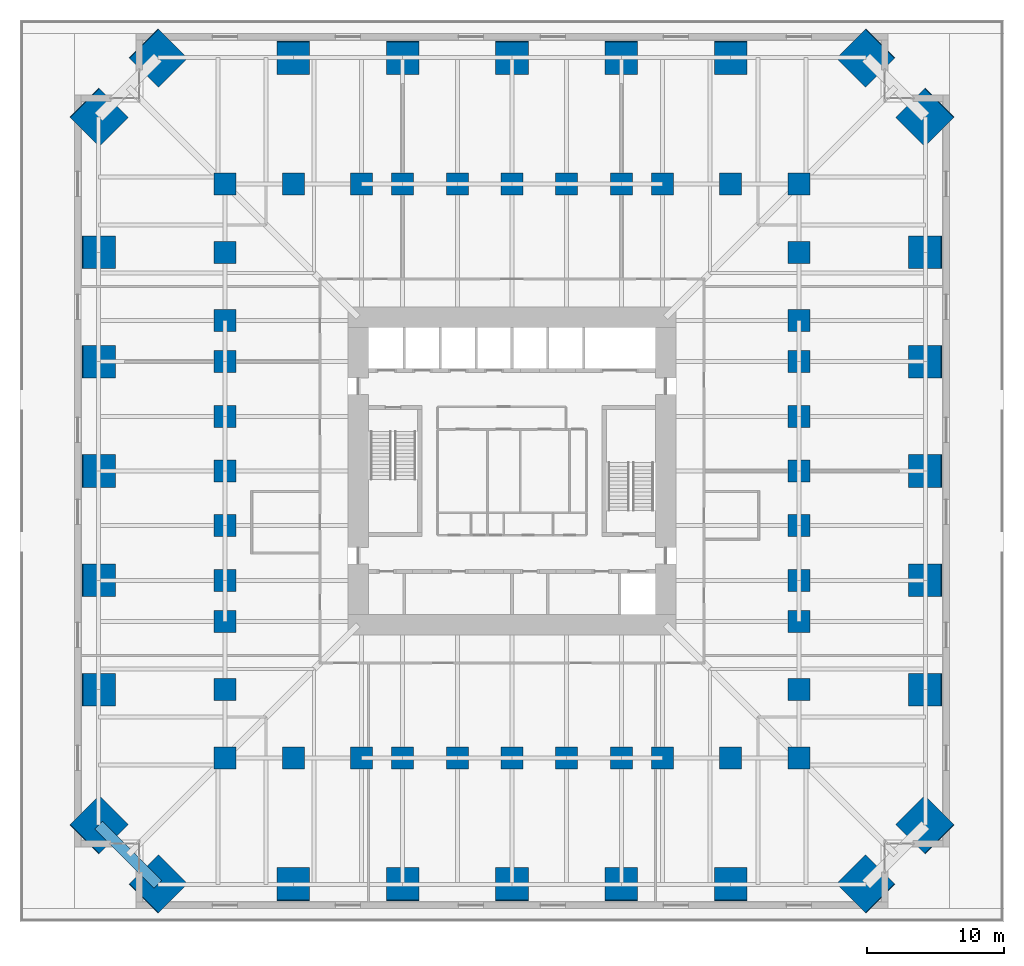
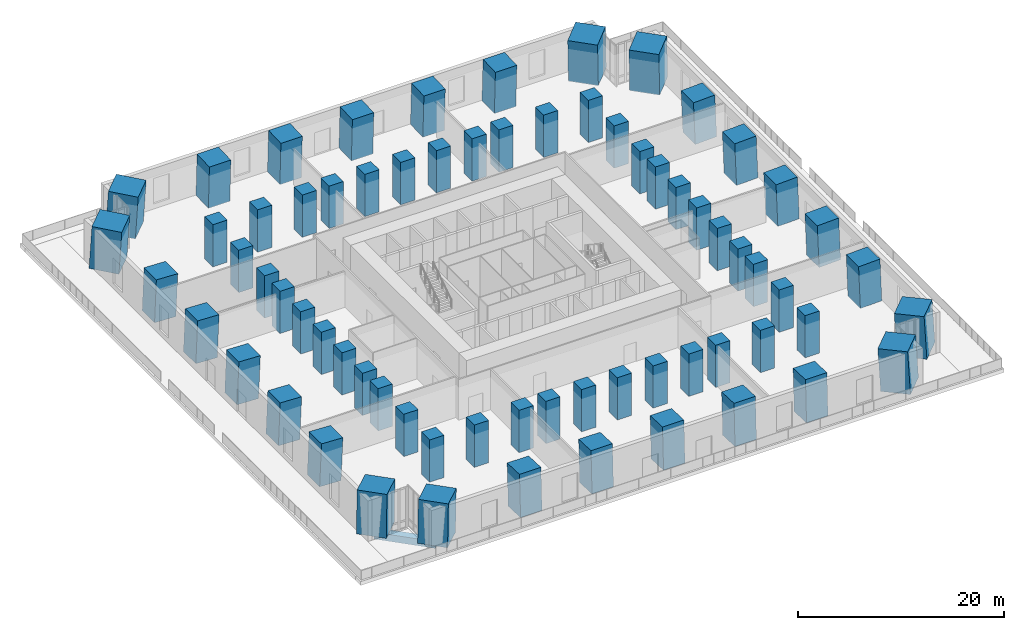
# One storey, part 1 of 26: 68 columns, 1 beam.
"""IFC4 building model written with IfcOpenShell, lengths in metres."""

from ifc_helpers import new_model, si_unit, direction, frame, origin, origin_2d, place, context, subcontext, project, spatial, rectangle, hollow_rectangle, extrude, material, material_profile, profile_set, type_object, element, save


model = new_model("IFC4")

# Units and contexts
model_context = context("Model", 3, precision=1e-05, world=origin(), true_north=direction((0.0, 1.0)))
body_context = subcontext(model_context, "Body", "Model", "MODEL_VIEW")
ifc_project = project(units=[si_unit("LENGTHUNIT", "METRE"), si_unit("AREAUNIT", "SQUARE_METRE"), si_unit("VOLUMEUNIT", "CUBIC_METRE"), si_unit("PLANEANGLEUNIT", "RADIAN"), si_unit("MASSUNIT", "GRAM", prefix="KILO")], contexts=[model_context])

# Site, building, storey
site_placement = place(None, origin())
site = spatial("IfcSite", under=ifc_project, at=site_placement, CompositionType="ELEMENT")
building_placement = place(site_placement, origin())
building = spatial("IfcBuilding", under=site, at=building_placement, Name="Peilmerk Tower", CompositionType="ELEMENT")
storey_placement = place(building_placement, frame((0.0, 0.0, 16.0)))
storey = spatial("IfcBuildingStorey", under=building, at=storey_placement, Name="L03", CompositionType="ELEMENT", Elevation=16.0)

# Columns
ifc_material_1 = material(Name="Concrete C90/105", Category="concrete")
ifc_material_profile_1 = material_profile(ifc_material_1, rectangle(XDim=3.0, YDim=3.0, at=origin_2d()), Name="RC 3000x3000")
ifc_profile_set_1 = profile_set([ifc_material_profile_1], Name="Concrete C90/105")
column_type_1 = type_object("IfcColumnType", Name="MC1 3000x3000 encased mega column", PredefinedType="COLUMN", material=ifc_profile_set_1)
for number, where, z_axis, x_axis, name in (
    (1, (25.901611328125, 30.251708984375, 0.0), (-0.040266583883, -0.040266583883, 0.998377285621), (0.707106781187, -0.707106781187, 0.0), "Mega column MC1 NE_N L03"),
    (2, (30.251708984375, 25.901611328125, 0.0), (-0.040266583883, -0.040266583883, 0.998377285621), (0.707106781187, -0.707106781187, 0.0), "Mega column MC1 NE_E L03"),
    (3, (30.251708984375, -25.901611328125, 0.0), (-0.040266583883, 0.040266583883, 0.998377285621), (-0.707106781187, -0.707106781187, 0.0), "Mega column MC1 SE_E L03"),
    (4, (25.901611328125, -30.251708984375, 0.0), (-0.040266583883, 0.040266583883, 0.998377285621), (-0.707106781187, -0.707106781187, 0.0), "Mega column MC1 SE_S L03"),
    (5, (-25.901611328125, -30.251708984375, 0.0), (0.040266583883, 0.040266583883, 0.998377285621), (-0.707106781187, 0.707106781187, 0.0), "Mega column MC1 SW_S L03"),
    (6, (-30.251708984375, -25.901611328125, 0.0), (0.040266583883, 0.040266583883, 0.998377285621), (-0.707106781187, 0.707106781187, 0.0), "Mega column MC1 SW_W L03"),
    (7, (-30.251708984375, 25.901611328125, 0.0), (0.040266583883, -0.040266583883, 0.998377285621), (0.707106781187, 0.707106781187, 0.0), "Mega column MC1 NW_W L03"),
    (8, (-25.901611328125, 30.251708984375, 0.0), (0.040266583883, -0.040266583883, 0.998377285621), (0.707106781187, 0.707106781187, 0.0), "Mega column MC1 NW_N L03"),
):
    element("IfcColumn", number, at=place(storey_placement, frame(where, z_axis=z_axis, x_axis=x_axis)), inside=storey, type_object=column_type_1, Name=name, PredefinedType="COLUMN", context=body_context, shape_type="SweptSolid", body=[
        extrude(rectangle(XDim=3.0, YDim=3.0, at=origin_2d()), origin(), (0.0, 0.0, 1.0), 5.008056640625),
    ])
ifc_material_profile_2 = material_profile(ifc_material_1, rectangle(XDim=2.39990234375, YDim=2.39990234375, at=origin_2d()), Name="RC 2400x2400")
ifc_profile_set_2 = profile_set([ifc_material_profile_2], Name="Concrete C90/105")
column_type_2 = type_object("IfcColumnType", Name="SC1 2400x2400 encased perimeter column", PredefinedType="COLUMN", material=ifc_profile_set_2)
for number, where, z_axis, x_axis, name in (
    (9, (0.0, 30.251708984375, 0.0), (0.0, -0.040299267708, 0.999187654559), (1.0, 0.0, 0.0), "Perimeter column N+0 L03"),
    (10, (8.0, 30.251708984375, 0.0), (0.0, -0.040299267708, 0.999187654559), (1.0, 0.0, 0.0), "Perimeter column N-8 L03"),
    (11, (-8.0, 30.251708984375, 0.0), (0.0, -0.040299267708, 0.999187654559), (1.0, 0.0, 0.0), "Perimeter column N+8 L03"),
    (12, (16.0, 30.251708984375, 0.0), (0.0, -0.040299267708, 0.999187654559), (1.0, 0.0, 0.0), "Perimeter column N-16 L03"),
    (13, (-16.0, 30.251708984375, 0.0), (0.0, -0.040299267708, 0.999187654559), (1.0, 0.0, 0.0), "Perimeter column N+16 L03"),
    (14, (30.251708984375, 0.0, 0.0), (-0.040299267708, 0.0, 0.999187654559), (0.0, -1.0, 0.0), "Perimeter column E+0 L03"),
    (15, (30.251708984375, -8.0, 0.0), (-0.040299267708, 0.0, 0.999187654559), (0.0, -1.0, 0.0), "Perimeter column E-8 L03"),
    (16, (30.251708984375, 8.0, 0.0), (-0.040299267708, 0.0, 0.999187654559), (0.0, -1.0, 0.0), "Perimeter column E+8 L03"),
    (17, (30.251708984375, -16.0, 0.0), (-0.040299267708, 0.0, 0.999187654559), (0.0, -1.0, 0.0), "Perimeter column E-16 L03"),
    (18, (30.251708984375, 16.0, 0.0), (-0.040299267708, 0.0, 0.999187654559), (0.0, -1.0, 0.0), "Perimeter column E+16 L03"),
    (19, (0.0, -30.251708984375, 0.0), (0.0, 0.040299267708, 0.999187654559), (-1.0, 0.0, 0.0), "Perimeter column S+0 L03"),
    (20, (-8.0, -30.251708984375, 0.0), (0.0, 0.040299267708, 0.999187654559), (-1.0, 0.0, 0.0), "Perimeter column S-8 L03"),
    (21, (8.0, -30.251708984375, 0.0), (0.0, 0.040299267708, 0.999187654559), (-1.0, 0.0, 0.0), "Perimeter column S+8 L03"),
    (22, (-16.0, -30.251708984375, 0.0), (0.0, 0.040299267708, 0.999187654559), (-1.0, 0.0, 0.0), "Perimeter column S-16 L03"),
    (23, (16.0, -30.251708984375, 0.0), (0.0, 0.040299267708, 0.999187654559), (-1.0, 0.0, 0.0), "Perimeter column S+16 L03"),
    (24, (-30.251708984375, 0.0, 0.0), (0.040299267708, 0.0, 0.999187654559), (0.0, 1.0, 0.0), "Perimeter column W+0 L03"),
    (25, (-30.251708984375, 8.0, 0.0), (0.040299267708, 0.0, 0.999187654559), (0.0, 1.0, 0.0), "Perimeter column W-8 L03"),
    (26, (-30.251708984375, -8.0, 0.0), (0.040299267708, 0.0, 0.999187654559), (0.0, 1.0, 0.0), "Perimeter column W+8 L03"),
    (27, (-30.251708984375, 16.0, 0.0), (0.040299267708, 0.0, 0.999187654559), (0.0, 1.0, 0.0), "Perimeter column W-16 L03"),
    (28, (-30.251708984375, -16.0, 0.0), (0.040299267708, 0.0, 0.999187654559), (0.0, 1.0, 0.0), "Perimeter column W+16 L03"),
):
    element("IfcColumn", number, at=place(storey_placement, frame(where, z_axis=z_axis, x_axis=x_axis)), inside=storey, type_object=column_type_2, Name=name, PredefinedType="COLUMN", context=body_context, shape_type="SweptSolid", body=[
        extrude(rectangle(XDim=2.39990234375, YDim=2.39990234375, at=origin_2d()), origin(), (0.0, 0.0, 1.0), 5.004150390625),
    ])
ifc_material_profile_3 = material_profile(ifc_material_1, rectangle(XDim=1.60009765625, YDim=1.60009765625, at=origin_2d()), Name="RC 1600x1600")
ifc_profile_set_3 = profile_set([ifc_material_profile_3], Name="Concrete C90/105")
column_type_3 = type_object("IfcColumnType", Name="SC2 1600x1600 encased interior column", PredefinedType="COLUMN", material=ifc_profile_set_3)
for number, where, z_axis, x_axis, name in (
    (29, (0.0, 21.0, 0.0), (0.0, 0.0, 1.0), (1.0, 0.0, 0.0), "Interior column N+0 L03"),
    (30, (4.0, 21.0, 0.0), (0.0, 0.0, 1.0), (1.0, 0.0, 0.0), "Interior column N-4 L03"),
    (31, (-4.0, 21.0, 0.0), (0.0, 0.0, 1.0), (1.0, 0.0, 0.0), "Interior column N+4 L03"),
    (32, (8.0, 21.0, 0.0), (0.0, 0.0, 1.0), (1.0, 0.0, 0.0), "Interior column N-8 L03"),
    (33, (-8.0, 21.0, 0.0), (0.0, 0.0, 1.0), (1.0, 0.0, 0.0), "Interior column N+8 L03"),
    (34, (11.0, 21.0, 0.0), (0.0, 0.0, 1.0), (1.0, 0.0, 0.0), "Interior column N-11 L03"),
    (35, (-11.0, 21.0, 0.0), (0.0, 0.0, 1.0), (1.0, 0.0, 0.0), "Interior column N+11 L03"),
    (36, (16.0, 21.0, 0.0), (0.0, 0.0, 1.0), (1.0, 0.0, 0.0), "Interior column N-16 L03"),
    (37, (-16.0, 21.0, 0.0), (0.0, 0.0, 1.0), (1.0, 0.0, 0.0), "Interior column N+16 L03"),
    (38, (21.0, 0.0, 0.0), (0.0, 0.0, 1.0), (1.0, 0.0, 0.0), "Interior column E+0 L03"),
    (39, (21.0, -4.0, 0.0), (0.0, 0.0, 1.0), (1.0, 0.0, 0.0), "Interior column E-4 L03"),
    (40, (21.0, 4.0, 0.0), (0.0, 0.0, 1.0), (1.0, 0.0, 0.0), "Interior column E+4 L03"),
    (41, (21.0, -8.0, 0.0), (0.0, 0.0, 1.0), (1.0, 0.0, 0.0), "Interior column E-8 L03"),
    (42, (21.0, 8.0, 0.0), (0.0, 0.0, 1.0), (1.0, 0.0, 0.0), "Interior column E+8 L03"),
    (43, (21.0, -11.0, 0.0), (0.0, 0.0, 1.0), (1.0, 0.0, 0.0), "Interior column E-11 L03"),
    (44, (21.0, 11.0, 0.0), (0.0, 0.0, 1.0), (1.0, 0.0, 0.0), "Interior column E+11 L03"),
    (45, (21.0, -16.0, 0.0), (0.0, 0.0, 1.0), (1.0, 0.0, 0.0), "Interior column E-16 L03"),
    (46, (21.0, 16.0, 0.0), (0.0, 0.0, 1.0), (1.0, 0.0, 0.0), "Interior column E+16 L03"),
    (47, (0.0, -21.0, 0.0), (0.0, 0.0, 1.0), (1.0, 0.0, 0.0), "Interior column S+0 L03"),
    (48, (-4.0, -21.0, 0.0), (0.0, 0.0, 1.0), (1.0, 0.0, 0.0), "Interior column S-4 L03"),
    (49, (4.0, -21.0, 0.0), (0.0, 0.0, 1.0), (1.0, 0.0, 0.0), "Interior column S+4 L03"),
    (50, (-8.0, -21.0, 0.0), (0.0, 0.0, 1.0), (1.0, 0.0, 0.0), "Interior column S-8 L03"),
    (51, (8.0, -21.0, 0.0), (0.0, 0.0, 1.0), (1.0, 0.0, 0.0), "Interior column S+8 L03"),
    (52, (-11.0, -21.0, 0.0), (0.0, 0.0, 1.0), (1.0, 0.0, 0.0), "Interior column S-11 L03"),
    (53, (11.0, -21.0, 0.0), (0.0, 0.0, 1.0), (1.0, 0.0, 0.0), "Interior column S+11 L03"),
    (54, (-16.0, -21.0, 0.0), (0.0, 0.0, 1.0), (1.0, 0.0, 0.0), "Interior column S-16 L03"),
    (55, (16.0, -21.0, 0.0), (0.0, 0.0, 1.0), (1.0, 0.0, 0.0), "Interior column S+16 L03"),
    (56, (-21.0, 0.0, 0.0), (0.0, 0.0, 1.0), (1.0, 0.0, 0.0), "Interior column W+0 L03"),
    (57, (-21.0, 4.0, 0.0), (0.0, 0.0, 1.0), (1.0, 0.0, 0.0), "Interior column W-4 L03"),
    (58, (-21.0, -4.0, 0.0), (0.0, 0.0, 1.0), (1.0, 0.0, 0.0), "Interior column W+4 L03"),
    (59, (-21.0, 8.0, 0.0), (0.0, 0.0, 1.0), (1.0, 0.0, 0.0), "Interior column W-8 L03"),
    (60, (-21.0, -8.0, 0.0), (0.0, 0.0, 1.0), (1.0, 0.0, 0.0), "Interior column W+8 L03"),
    (61, (-21.0, 11.0, 0.0), (0.0, 0.0, 1.0), (1.0, 0.0, 0.0), "Interior column W-11 L03"),
    (62, (-21.0, -11.0, 0.0), (0.0, 0.0, 1.0), (1.0, 0.0, 0.0), "Interior column W+11 L03"),
    (63, (-21.0, 16.0, 0.0), (0.0, 0.0, 1.0), (1.0, 0.0, 0.0), "Interior column W-16 L03"),
    (64, (-21.0, -16.0, 0.0), (0.0, 0.0, 1.0), (1.0, 0.0, 0.0), "Interior column W+16 L03"),
    (65, (21.0, 21.0, 0.0), (0.0, 0.0, 1.0), (1.0, 0.0, 0.0), "Interior column NE L03"),
    (66, (21.0, -21.0, 0.0), (0.0, 0.0, 1.0), (1.0, 0.0, 0.0), "Interior column SE L03"),
    (67, (-21.0, -21.0, 0.0), (0.0, 0.0, 1.0), (1.0, 0.0, 0.0), "Interior column SW L03"),
    (68, (-21.0, 21.0, 0.0), (0.0, 0.0, 1.0), (1.0, 0.0, 0.0), "Interior column NW L03"),
):
    element("IfcColumn", number, at=place(storey_placement, frame(where, z_axis=z_axis, x_axis=x_axis)), inside=storey, type_object=column_type_3, Name=name, PredefinedType="COLUMN", context=body_context, shape_type="SweptSolid", body=[
        extrude(rectangle(XDim=1.60009765625, YDim=1.60009765625, at=origin_2d()), origin(), (0.0, 0.0, 1.0), 5.0),
    ])

# Beam
ifc_material_2 = material(Name="Steel S460", Category="steel")
ifc_material_profile_4 = material_profile(ifc_material_2, hollow_rectangle(XDim=0.800048828125, YDim=0.800048828125, WallThickness=0.080078125, at=origin_2d()), Name="BOX 800x800x80")
ifc_profile_set_4 = profile_set([ifc_material_profile_4], Name="Steel S460")
beam_type = type_object("IfcBeamType", Name="B8 BOX 800x800x80 notch beam", PredefinedType="SPANDREL", material=ifc_profile_set_4)
beam_placement = place(storey_placement, frame((-25.901611328125, -30.251708984375, -0.60009765625), z_axis=(-0.707106781187, 0.707106781187, 0.0), x_axis=(-0.707106781187, -0.707106781187, 0.0)))
element("IfcBeam", 69, at=beam_placement, inside=storey, type_object=beam_type, Name="Notch beam L03", PredefinedType="SPANDREL", context=body_context, shape_type="SweptSolid", body=[
    extrude(hollow_rectangle(XDim=0.800048828125, YDim=0.800048828125, WallThickness=0.080078125, at=origin_2d()), origin(), (0.0, 0.0, 1.0), 6.15185546875),
])

save(model, "model.ifc")
